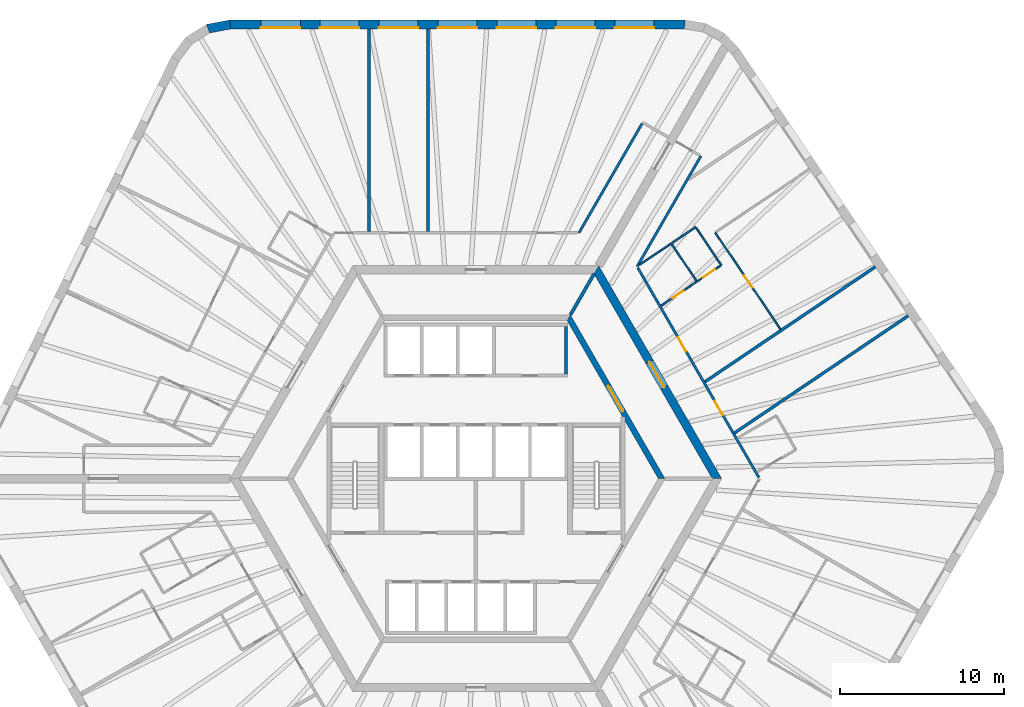
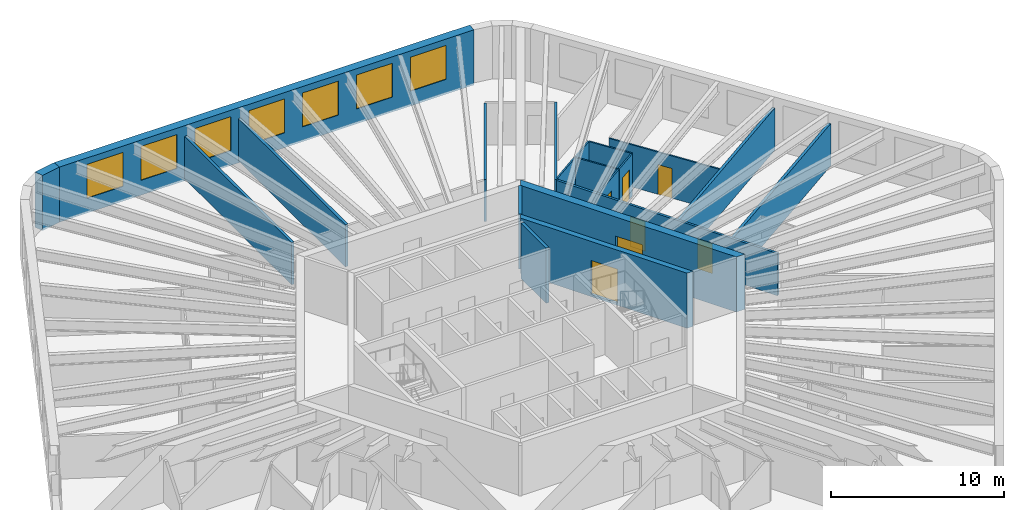
# One storey, part 8 of 10: 20 walls, 7 doors, 7 windows, 14 openings.
"""IFC4 building model written with IfcOpenShell, lengths in metres."""

from ifc_helpers import new_model, si_unit, direction, frame, frame_2d, origin, place, context, subcontext, project, spatial, polyline, rectangle, outline, extrude, material, layer, layer_set, type_object, element, fill, save


model = new_model("IFC4")

# Units and contexts
model_context = context("Model", 3, precision=1e-05, world=origin(), true_north=direction((0.0, 1.0)))
body_context = subcontext(model_context, "Body", "Model", "MODEL_VIEW")
ifc_project = project(units=[si_unit("LENGTHUNIT", "METRE"), si_unit("AREAUNIT", "SQUARE_METRE"), si_unit("VOLUMEUNIT", "CUBIC_METRE"), si_unit("PLANEANGLEUNIT", "RADIAN"), si_unit("MASSUNIT", "GRAM", prefix="KILO")], contexts=[model_context])

# Site, building, storey
site_placement = place(None, origin())
site = spatial("IfcSite", under=ifc_project, at=site_placement, CompositionType="ELEMENT")
building_placement = place(site_placement, origin())
building = spatial("IfcBuilding", under=site, at=building_placement, Name="Tarnside Tower", CompositionType="ELEMENT")
storey_placement = place(building_placement, frame((0.0, 0.0, 168.300048828125)))
storey = spatial("IfcBuildingStorey", under=building, at=storey_placement, Name="L39", CompositionType="ELEMENT", Elevation=168.300048828125)

# Wall
ifc_material_1 = material(Name="Gypsum board partition on steel studs", Category="steel")
ifc_layer_1 = layer(ifc_material_1, 0.10009765625)
ifc_layer_set_1 = layer_set([ifc_layer_1], Name="Bathroom wall 100")
wall_type_1 = type_object("IfcWallType", Name="Bathroom wall 100", PredefinedType="PARTITIONING", material=ifc_layer_set_1)
wall_1_placement = place(storey_placement, frame((9.985595703125, 13.045654296875, 0.0), z_axis=(0.0, 0.0, 1.0), x_axis=(0.829041811541, 0.559186618865, 0.0)))
element("IfcWall", 1, at=wall_1_placement, inside=storey, type_object=wall_type_1, Name="Bathroom wall 12105", PredefinedType="PARTITIONING", context=body_context, shape_type="SweptSolid", body=[
    extrude(rectangle(XDim=2.343994140625, YDim=0.10009765625, at=frame_2d((1.171875, 0.0))), origin(), (0.0, 0.0, 1.0), 2.98779296875),
])

# Wall, opening, door
wall_2_placement = place(storey_placement, frame((13.49462890625, 12.03515625, 0.0), z_axis=(0.0, 0.0, 1.0), x_axis=(-0.829031183816, -0.55920237505, 0.0)))
wall_2 = element("IfcWall", 2, at=wall_2_placement, inside=storey, type_object=wall_type_1, Name="Bathroom wall 12106", PredefinedType="PARTITIONING", context=body_context, shape_type="SweptSolid", body=[
    extrude(rectangle(XDim=2.6357421875, YDim=0.10009765625, at=frame_2d((1.31787109375, 0.0))), origin(), (0.0, 0.0, 1.0), 2.98779296875),
])
opening_1_placement = place(wall_2_placement, frame((1.0, 0.0, 0.0)))
opening_1 = element("IfcOpeningElement", 3, at=opening_1_placement, cuts=wall_2, Name="Opening D-B1", PredefinedType="OPENING", context=body_context, shape_type="SweptSolid", body=[
    extrude(rectangle(XDim=0.800048828125, YDim=2.10009765625, at=frame_2d((0.39990234375, 1.050048828125))), frame((0.0, 0.06005859375, 0.0), z_axis=(0.0, -1.0, 0.0), x_axis=(1.0, 0.0, 0.0)), (0.0, 0.0, 1.0), 0.1201171875),
])
ifc_material_2 = material(Name="Timber door leaf", Category="wood")
door_type_1 = type_object("IfcDoorType", Name="Bathroom door 800", OperationType="NOTDEFINED", PredefinedType="DOOR", material=ifc_material_2)
door_1_placement = place(opening_1_placement, origin())
door_1 = element("IfcDoor", 4, at=door_1_placement, inside=storey, type_object=door_type_1, Name="Bathroom door 12032", OperationType="SINGLE_SWING_LEFT", OverallHeight=2.10009765625, OverallWidth=0.800048828125, PredefinedType="DOOR", context=body_context, shape_type="SweptSolid", body=[
    extrude(rectangle(XDim=0.800048828125, YDim=2.10009765625, at=frame_2d((0.39990234375, 1.050048828125))), frame((0.0, 0.02490234375, 0.0), z_axis=(0.0, -1.0, 0.0), x_axis=(1.0, 0.0, 0.0)), (0.0, 0.0, 1.0), 0.050048828125),
])
fill(opening_1, door_1)

# Wall
wall_3_placement = place(storey_placement, frame((13.466796875, 12.07666015625, 0.0), z_axis=(0.0, 0.0, 1.0), x_axis=(-0.559261631576, 0.828991210718, 0.0)))
element("IfcWall", 5, at=wall_3_placement, inside=storey, type_object=wall_type_1, Name="Bathroom wall 12113", PredefinedType="PARTITIONING", context=body_context, shape_type="SweptSolid", body=[
    extrude(rectangle(XDim=2.699951171875, YDim=0.10009765625, at=frame_2d((1.35009765625, 0.0))), origin(), (0.0, 0.0, 1.0), 2.98779296875),
])

# Wall, opening, door
ifc_material_3 = material(Name="Concrete C50/60", Category="concrete")
ifc_layer_2 = layer(ifc_material_3, 0.35009765625)
ifc_layer_set_2 = layer_set([ifc_layer_2], Name="Core block wall 350 C50/60")
wall_type_2 = type_object("IfcWallType", Name="Core block wall 350 C50/60", PredefinedType="SHEAR", material=ifc_layer_set_2)
wall_4_placement = place(storey_placement, frame((11.344970703125, 0.0, -0.150146484375), z_axis=(0.0, 0.0, 1.0), x_axis=(-0.499995046907, 0.866028263435, 0.0)))
wall_4 = element("IfcWall", 6, at=wall_4_placement, inside=storey, type_object=wall_type_2, Name="L39 core block wall face 6", PredefinedType="SHEAR", context=body_context, shape_type="SweptSolid", body=[
    extrude(outline(polyline([(-0.10107421875, -0.175048828125), (11.44580078125, -0.175048828125), (11.24365234375, 0.175048828125), (0.10107421875, 0.175048828125), (-0.10107421875, -0.175048828125)])), origin(), (0.0, 0.0, 1.0), 3.900146484375),
])
opening_2_placement = place(wall_4_placement, frame((4.74365234375, 0.0, 0.14990234375)))
opening_2 = element("IfcOpeningElement", 7, at=opening_2_placement, cuts=wall_4, Name="Opening CD-LOB", PredefinedType="OPENING", context=body_context, shape_type="SweptSolid", body=[
    extrude(rectangle(XDim=1.800048828125, YDim=2.39990234375, at=frame_2d((0.89990234375, 1.199951171875))), frame((0.0, 0.18505859375, 0.0), z_axis=(0.0, -1.0, 0.0), x_axis=(1.0, 0.0, 0.0)), (0.0, 0.0, 1.0), 0.3701171875),
])
ifc_material_4 = material(Name="Steel fire door", Category="steel")
door_type_2 = type_object("IfcDoorType", Name="Lobby double door FD30S 1800x2400", OperationType="NOTDEFINED", PredefinedType="DOOR", material=ifc_material_4)
door_2_placement = place(opening_2_placement, origin())
door_2 = element("IfcDoor", 8, at=door_2_placement, inside=storey, type_object=door_type_2, Name="L39 lobby block door P2", OperationType="DOUBLE_DOOR_SINGLE_SWING", OverallHeight=2.39990234375, OverallWidth=1.800048828125, PredefinedType="DOOR", context=body_context, shape_type="SweptSolid", body=[
    extrude(rectangle(XDim=1.800048828125, YDim=2.39990234375, at=frame_2d((0.89990234375, 1.199951171875))), frame((0.0, 0.02490234375, 0.0), z_axis=(0.0, -1.0, 0.0), x_axis=(1.0, 0.0, 0.0)), (0.0, 0.0, 1.0), 0.050048828125),
])
fill(opening_2, door_2)

ifc_material_5 = material(Name="Concrete C70/85", Category="concrete")
ifc_layer_3 = layer(ifc_material_5, 0.5)
ifc_layer_set_3 = layer_set([ifc_layer_3], Name="Core wall Z2 500 C70/85")
wall_type_3 = type_object("IfcWallType", Name="Core wall Z2 500 C70/85", PredefinedType="SHEAR", material=ifc_layer_set_3)
wall_5_placement = place(storey_placement, frame((14.722412109375, 0.0, -0.150146484375), z_axis=(0.0, 0.0, 1.0), x_axis=(-0.50000571537, 0.866022103989, 0.0)))
wall_5 = element("IfcWall", 9, at=wall_5_placement, inside=storey, type_object=wall_type_3, Name="L39 core wall face 6", PredefinedType="SHEAR", context=body_context, shape_type="SweptSolid", body=[
    extrude(outline(polyline([(-0.144287109375, -0.25), (14.86669921875, -0.25), (14.578125, 0.25), (0.144287109375, 0.25), (-0.144287109375, -0.25)])), origin(), (0.0, 0.0, 1.0), 3.900146484375),
])
opening_3_placement = place(wall_5_placement, frame((6.432373046875, 0.0, 0.14990234375)))
opening_3 = element("IfcOpeningElement", 10, at=opening_3_placement, cuts=wall_5, Name="Opening CD-LOB", PredefinedType="OPENING", context=body_context, shape_type="SweptSolid", body=[
    extrude(rectangle(XDim=1.800048828125, YDim=2.39990234375, at=frame_2d((0.89990234375, 1.199951171875))), frame((0.0, 0.260009765625, 0.0), z_axis=(0.0, -1.0, 0.0), x_axis=(1.0, 0.0, 0.0)), (0.0, 0.0, 1.0), 0.52001953125),
])
door_3_placement = place(opening_3_placement, origin())
door_3 = element("IfcDoor", 11, at=door_3_placement, inside=storey, type_object=door_type_2, Name="L39 core door P2", OperationType="DOUBLE_DOOR_SINGLE_SWING", OverallHeight=2.39990234375, OverallWidth=1.800048828125, PredefinedType="DOOR", context=body_context, shape_type="SweptSolid", body=[
    extrude(rectangle(XDim=1.800048828125, YDim=2.39990234375, at=frame_2d((0.89990234375, 1.199951171875))), frame((0.0, 0.02490234375, 0.0), z_axis=(0.0, -1.0, 0.0), x_axis=(1.0, 0.0, 0.0)), (0.0, 0.0, 1.0), 0.050048828125),
])
fill(opening_3, door_3)

# Wall
ifc_layer_4 = layer(ifc_material_1, 0.14990234375)
ifc_layer_set_4 = layer_set([ifc_layer_4], Name="Corridor wall 150 EI 60")
wall_type_4 = type_object("IfcWallType", Name="Corridor wall 150 EI 60", PredefinedType="PARTITIONING", material=ifc_layer_set_4)
wall_6_placement = place(storey_placement, frame((10.148681640625, 21.677978515625, 0.0), z_axis=(0.0, 0.0, 1.0), x_axis=(-0.499993780622, -0.866028994514, 0.0)))
element("IfcWall", 12, at=wall_6_placement, inside=storey, type_object=wall_type_4, Name="Corridor wall 12002", PredefinedType="PARTITIONING", context=body_context, shape_type="SweptSolid", body=[
    extrude(rectangle(XDim=7.7109375, YDim=0.14990234375, at=frame_2d((3.85546875, 0.0))), origin(), (0.0, 0.0, 1.0), 2.98779296875),
])

# Wall, openings, doors
wall_7_placement = place(storey_placement, frame((17.277099609375, 0.074951171875, 0.0), z_axis=(0.0, 0.0, 1.0), x_axis=(-0.499988884089, 0.866031821464, 0.0)))
wall_7 = element("IfcWall", 13, at=wall_7_placement, inside=storey, type_object=wall_type_4, Name="Corridor wall 12035", PredefinedType="PARTITIONING", context=body_context, shape_type="SweptSolid", body=[
    extrude(rectangle(XDim=14.780029296875, YDim=0.14990234375, at=frame_2d((7.39013671875, 0.0))), origin(), (0.0, 0.0, 1.0), 2.98779296875),
])
opening_4_placement = place(wall_7_placement, frame((4.39306640625, 0.0, 0.0)))
opening_4 = element("IfcOpeningElement", 14, at=opening_4_placement, cuts=wall_7, Name="Opening D-E1", PredefinedType="OPENING", context=body_context, shape_type="SweptSolid", body=[
    extrude(rectangle(XDim=1.0, YDim=2.10009765625, at=frame_2d((0.5, 1.050048828125))), frame((0.0, 0.0849609375, 0.0), z_axis=(0.0, -1.0, 0.0), x_axis=(1.0, 0.0, 0.0)), (0.0, 0.0, 1.0), 0.169921875),
])
opening_5_placement = place(wall_7_placement, frame((8.885498046875, 0.0, 0.0)))
opening_5 = element("IfcOpeningElement", 15, at=opening_5_placement, cuts=wall_7, Name="Opening D-E1", PredefinedType="OPENING", context=body_context, shape_type="SweptSolid", body=[
    extrude(rectangle(XDim=1.0, YDim=2.10009765625, at=frame_2d((0.5, 1.050048828125))), frame((0.0, 0.0849609375, 0.0), z_axis=(0.0, -1.0, 0.0), x_axis=(1.0, 0.0, 0.0)), (0.0, 0.0, 1.0), 0.169921875),
])
door_type_3 = type_object("IfcDoorType", Name="Unit entrance door 1000 FD30S", OperationType="NOTDEFINED", PredefinedType="DOOR", material=ifc_material_2)
door_4_placement = place(opening_4_placement, origin())
door_4 = element("IfcDoor", 16, at=door_4_placement, inside=storey, type_object=door_type_3, Name="Unit door 12030", OperationType="SINGLE_SWING_LEFT", OverallHeight=2.10009765625, OverallWidth=1.0, PredefinedType="DOOR", context=body_context, shape_type="SweptSolid", body=[
    extrude(rectangle(XDim=1.0, YDim=2.10009765625, at=frame_2d((0.5, 1.050048828125))), frame((0.0, 0.02490234375, 0.0), z_axis=(0.0, -1.0, 0.0), x_axis=(1.0, 0.0, 0.0)), (0.0, 0.0, 1.0), 0.050048828125),
])
fill(opening_4, door_4)
door_5_placement = place(opening_5_placement, origin())
door_5 = element("IfcDoor", 17, at=door_5_placement, inside=storey, type_object=door_type_3, Name="Unit door 12031", OperationType="SINGLE_SWING_RIGHT", OverallHeight=2.10009765625, OverallWidth=1.0, PredefinedType="DOOR", context=body_context, shape_type="SweptSolid", body=[
    extrude(rectangle(XDim=1.0, YDim=2.10009765625, at=frame_2d((0.5, 1.050048828125))), frame((0.0, 0.02490234375, 0.0), z_axis=(0.0, -1.0, 0.0), x_axis=(1.0, 0.0, 0.0)), (0.0, 0.0, 1.0), 0.050048828125),
])
fill(opening_5, door_5)

# Walls
wall_8_placement = place(storey_placement, frame((9.84375, 12.949951171875, 0.0), z_axis=(0.0, 0.0, 1.0), x_axis=(0.500003831281, 0.866023191782, 0.0)))
element("IfcWall", 18, at=wall_8_placement, inside=storey, type_object=wall_type_4, Name="Corridor wall 12040", PredefinedType="PARTITIONING", context=body_context, shape_type="SweptSolid", body=[
    extrude(rectangle(XDim=7.7861328125, YDim=0.14990234375, at=frame_2d((3.89306640625, 0.0))), origin(), (0.0, 0.0, 1.0), 2.98779296875),
])
ifc_layer_5 = layer(ifc_material_1, 0.179931640625)
ifc_layer_set_5 = layer_set([ifc_layer_5], Name="Demising wall 180 EI 60")
wall_type_5 = type_object("IfcWallType", Name="Demising wall 180 EI 60", PredefinedType="PARTITIONING", material=ifc_layer_set_5)
for number, where, z_axis, x_axis, name in (
    (19, (-2.91796875, 27.449951171875, 0.0), (0.0, 0.0, 1.0), (0.0, -1.0, 0.0), "Demising wall 12045"),
    (20, (-6.517822265625, 27.449951171875, 0.0), (0.0, 0.0, 1.0), (0.0, -1.0, 0.0), "Demising wall 12046"),
):
    element("IfcWall", number, at=place(storey_placement, frame(where, z_axis=z_axis, x_axis=x_axis)), inside=storey, type_object=wall_type_5, Name=name, PredefinedType="PARTITIONING", context=body_context, shape_type="SweptSolid", body=[
        extrude(rectangle(XDim=12.375, YDim=0.179931640625, at=frame_2d((6.1875, 0.0))), origin(), (0.0, 0.0, 1.0), 2.98779296875),
    ])
wall_9_placement = place(storey_placement, frame((26.40185546875, 9.9462890625, 0.0), z_axis=(0.0, 0.0, 1.0), x_axis=(-0.829037771727, -0.559192608187, 0.0)))
element("IfcWall", 21, at=wall_9_placement, inside=storey, type_object=wall_type_5, Name="Demising wall 12102", PredefinedType="PARTITIONING", context=body_context, shape_type="SweptSolid", body=[
    extrude(rectangle(XDim=12.7939453125, YDim=0.179931640625, at=frame_2d((6.39697265625, 0.0))), origin(), (0.0, 0.0, 1.0), 2.98779296875),
])
wall_10_placement = place(storey_placement, frame((24.388671875, 12.9306640625, 0.0), z_axis=(0.0, 0.0, 1.0), x_axis=(-0.829040439793, -0.559188652593, 0.0)))
element("IfcWall", 22, at=wall_10_placement, inside=storey, type_object=wall_type_5, Name="Demising wall 12103", PredefinedType="PARTITIONING", context=body_context, shape_type="SweptSolid", body=[
    extrude(rectangle(XDim=12.542236328125, YDim=0.179931640625, at=frame_2d((6.27099609375, 0.0))), origin(), (0.0, 0.0, 1.0), 2.98779296875),
])
ifc_material_6 = material(Name="Concrete C40/50", Category="concrete")
ifc_layer_6 = layer(ifc_material_6, 0.199951171875)
ifc_layer_set_6 = layer_set([ifc_layer_6], Name="Lift shaft wall 200 C40/50")
wall_type_6 = type_object("IfcWallType", Name="Lift shaft wall 200 C40/50", PredefinedType="SHEAR", material=ifc_layer_set_6)
wall_11_placement = place(storey_placement, frame((5.5, 6.39990234375, -0.25), z_axis=(0.0, 0.0, 1.0), x_axis=(0.0, 1.0, 0.0)))
element("IfcWall", 23, at=wall_11_placement, inside=storey, type_object=wall_type_6, Name="L39 lift shaft partition R16", PredefinedType="SHEAR", context=body_context, shape_type="SweptSolid", body=[
    extrude(rectangle(XDim=2.900146484375, YDim=0.199951171875, at=frame_2d((1.4501953125, 0.0))), origin(), (0.0, 0.0, 1.0), 3.89990234375),
])
wall_12_placement = place(storey_placement, frame((5.7734375, 10.0, -0.150146484375), z_axis=(0.0, 0.0, 1.0), x_axis=(0.499995765644, 0.866027848477, 0.0)))
element("IfcWall", 24, at=wall_12_placement, inside=storey, type_object=wall_type_6, Name="L39 core partition AR60", PredefinedType="SHEAR", context=body_context, shape_type="SweptSolid", body=[
    extrude(rectangle(XDim=2.88671875, YDim=0.199951171875, at=frame_2d((1.443359375, 0.0))), origin(), (0.0, 0.0, 1.0), 3.900146484375),
])
ifc_layer_7 = layer(ifc_material_1, 0.10009765625)
ifc_layer_set_7 = layer_set([ifc_layer_7], Name="Partition 100")
wall_type_7 = type_object("IfcWallType", Name="Partition 100", PredefinedType="PARTITIONING", material=ifc_layer_set_7)
wall_13_placement = place(storey_placement, frame((11.970458984375, 14.38427734375, 0.0), z_axis=(0.0, 0.0, 1.0), x_axis=(0.828968337787, 0.559295534532, 0.0)))
element("IfcWall", 25, at=wall_13_placement, inside=storey, type_object=wall_type_7, Name="Partition wall 12107", PredefinedType="PARTITIONING", context=body_context, shape_type="SweptSolid", body=[
    extrude(rectangle(XDim=1.75, YDim=0.10009765625, at=frame_2d((0.875, 0.0))), origin(), (0.0, 0.0, 1.0), 2.98779296875),
])
wall_14_placement = place(storey_placement, frame((13.44921875, 15.321533203125, 0.0), z_axis=(0.0, 0.0, 1.0), x_axis=(0.559158698756, -0.8290606429, 0.0)))
element("IfcWall", 26, at=wall_14_placement, inside=storey, type_object=wall_type_7, Name="Partition wall 12108", PredefinedType="PARTITIONING", context=body_context, shape_type="SweptSolid", body=[
    extrude(rectangle(XDim=2.749755859375, YDim=0.10009765625, at=frame_2d((1.375, 0.0))), origin(), (0.0, 0.0, 1.0), 2.98779296875),
])

# Wall, opening, door
wall_15_placement = place(storey_placement, frame((14.945556640625, 13.013671875, 0.0), z_axis=(0.0, 0.0, 1.0), x_axis=(-0.829033422808, -0.559199055675, 0.0)))
wall_15 = element("IfcWall", 27, at=wall_15_placement, inside=storey, type_object=wall_type_7, Name="Partition wall 12109", PredefinedType="PARTITIONING", context=body_context, shape_type="SweptSolid", body=[
    extrude(rectangle(XDim=1.7001953125, YDim=0.10009765625, at=frame_2d((0.85009765625, 0.0))), origin(), (0.0, 0.0, 1.0), 2.98779296875),
])
opening_6_placement = place(wall_15_placement, frame((0.39990234375, 0.0, 0.0)))
opening_6 = element("IfcOpeningElement", 28, at=opening_6_placement, cuts=wall_15, Name="Opening D-I1", PredefinedType="OPENING", context=body_context, shape_type="SweptSolid", body=[
    extrude(rectangle(XDim=0.89990234375, YDim=2.10009765625, at=frame_2d((0.449951171875, 1.050048828125))), frame((0.0, 0.06005859375, 0.0), z_axis=(0.0, -1.0, 0.0), x_axis=(1.0, 0.0, 0.0)), (0.0, 0.0, 1.0), 0.1201171875),
])
door_type_4 = type_object("IfcDoorType", Name="Internal door 900", OperationType="NOTDEFINED", PredefinedType="DOOR", material=ifc_material_2)
door_6_placement = place(opening_6_placement, origin())
door_6 = element("IfcDoor", 29, at=door_6_placement, inside=storey, type_object=door_type_4, Name="Internal door 12033", OperationType="SINGLE_SWING_RIGHT", OverallHeight=2.10009765625, OverallWidth=0.89990234375, PredefinedType="DOOR", context=body_context, shape_type="SweptSolid", body=[
    extrude(rectangle(XDim=0.89990234375, YDim=2.10009765625, at=frame_2d((0.449951171875, 1.050048828125))), frame((0.0, 0.02490234375, 0.0), z_axis=(0.0, -1.0, 0.0), x_axis=(1.0, 0.0, 0.0)), (0.0, 0.0, 1.0), 0.050048828125),
])
fill(opening_6, door_6)

wall_16_placement = place(storey_placement, frame((18.591064453125, 9.128662109375, 0.0), z_axis=(0.0, 0.0, 1.0), x_axis=(-0.559185029686, 0.829042883435, 0.0)))
wall_16 = element("IfcWall", 30, at=wall_16_placement, inside=storey, type_object=wall_type_7, Name="Partition wall 12110", PredefinedType="PARTITIONING", context=body_context, shape_type="SweptSolid", body=[
    extrude(rectangle(XDim=7.110107421875, YDim=0.10009765625, at=frame_2d((3.55517578125, 0.0))), origin(), (0.0, 0.0, 1.0), 2.98779296875),
])
opening_7_placement = place(wall_16_placement, frame((3.06005859375, 0.0, 0.0)))
opening_7 = element("IfcOpeningElement", 31, at=opening_7_placement, cuts=wall_16, Name="Opening D-I1", PredefinedType="OPENING", context=body_context, shape_type="SweptSolid", body=[
    extrude(rectangle(XDim=0.89990234375, YDim=2.10009765625, at=frame_2d((0.449951171875, 1.050048828125))), frame((0.0, 0.06005859375, 0.0), z_axis=(0.0, -1.0, 0.0), x_axis=(1.0, 0.0, 0.0)), (0.0, 0.0, 1.0), 0.1201171875),
])
door_7_placement = place(opening_7_placement, origin())
door_7 = element("IfcDoor", 32, at=door_7_placement, inside=storey, type_object=door_type_4, Name="Internal door 12034", OperationType="SINGLE_SWING_RIGHT", OverallHeight=2.10009765625, OverallWidth=0.89990234375, PredefinedType="DOOR", context=body_context, shape_type="SweptSolid", body=[
    extrude(rectangle(XDim=0.89990234375, YDim=2.10009765625, at=frame_2d((0.449951171875, 1.050048828125))), frame((0.0, 0.02490234375, 0.0), z_axis=(0.0, -1.0, 0.0), x_axis=(1.0, 0.0, 0.0)), (0.0, 0.0, 1.0), 0.050048828125),
])
fill(opening_7, door_7)

# Wall, openings, windows
ifc_material_7 = material(Name="Facing brick", Category="masonry")
ifc_layer_8 = layer(ifc_material_7, 0.10205078125)
ifc_material_8 = material(Name="Concrete C60/75 precast", Category="concrete")
ifc_layer_9 = layer(ifc_material_8, 0.347900390625)
ifc_material_9 = material(Name="Mineral wool insulation")
ifc_layer_10 = layer(ifc_material_9, 0.10009765625)
ifc_layer_set_8 = layer_set([ifc_layer_8, ifc_layer_9, ifc_layer_10], Name="Tube wall 550 brick faced")
wall_type_8 = type_object("IfcWallType", Name="Tube wall 550 brick faced", PredefinedType="SOLIDWALL", material=ifc_layer_set_8)
wall_17_placement = place(storey_placement, frame((12.760986328125, 27.72509765625, -0.150146484375), z_axis=(0.0, 0.0, 1.0), x_axis=(-1.0, 0.0, 0.0)))
wall_17 = element("IfcWall", 33, at=wall_17_placement, inside=storey, type_object=wall_type_8, Name="Tube wall L39 F1 flush 00", PredefinedType="SOLIDWALL", context=body_context, shape_type="SweptSolid", body=[
    extrude(outline(polyline([(-0.0224609375, -0.27490234375), (27.783447265625, -0.27490234375), (27.732177734375, 0.27490234375), (0.0224609375, 0.27490234375), (-0.0224609375, -0.27490234375)])), origin(), (0.0, 0.0, 1.0), 3.900146484375),
])
opening_8_placement = place(wall_17_placement, frame((1.87890625, 0.0, 1.050048828125)))
opening_8 = element("IfcOpeningElement", 34, at=opening_8_placement, cuts=wall_17, Name="Opening WH", PredefinedType="OPENING", context=body_context, shape_type="SweptSolid", body=[
    extrude(rectangle(XDim=2.39990234375, YDim=2.39990234375, at=frame_2d((1.199951171875, 1.199951171875))), frame((0.0, 0.28515625, 0.0), z_axis=(0.0, -1.0, 0.0), x_axis=(1.0, 0.0, 0.0)), (0.0, 0.0, 1.0), 0.570068359375),
])
opening_9_placement = place(wall_17_placement, frame((5.47900390625, 0.0, 1.050048828125)))
opening_9 = element("IfcOpeningElement", 35, at=opening_9_placement, cuts=wall_17, Name="Opening WH", PredefinedType="OPENING", context=body_context, shape_type="SweptSolid", body=[
    extrude(rectangle(XDim=2.39990234375, YDim=2.39990234375, at=frame_2d((1.199951171875, 1.199951171875))), frame((0.0, 0.28515625, 0.0), z_axis=(0.0, -1.0, 0.0), x_axis=(1.0, 0.0, 0.0)), (0.0, 0.0, 1.0), 0.570068359375),
])
opening_10_placement = place(wall_17_placement, frame((9.078857421875, 0.0, 1.050048828125)))
opening_10 = element("IfcOpeningElement", 36, at=opening_10_placement, cuts=wall_17, Name="Opening WH", PredefinedType="OPENING", context=body_context, shape_type="SweptSolid", body=[
    extrude(rectangle(XDim=2.39990234375, YDim=2.39990234375, at=frame_2d((1.199951171875, 1.199951171875))), frame((0.0, 0.28515625, 0.0), z_axis=(0.0, -1.0, 0.0), x_axis=(1.0, 0.0, 0.0)), (0.0, 0.0, 1.0), 0.570068359375),
])
opening_11_placement = place(wall_17_placement, frame((12.678955078125, 0.0, 1.050048828125)))
opening_11 = element("IfcOpeningElement", 37, at=opening_11_placement, cuts=wall_17, Name="Opening WH", PredefinedType="OPENING", context=body_context, shape_type="SweptSolid", body=[
    extrude(rectangle(XDim=2.39990234375, YDim=2.39990234375, at=frame_2d((1.199951171875, 1.199951171875))), frame((0.0, 0.28515625, 0.0), z_axis=(0.0, -1.0, 0.0), x_axis=(1.0, 0.0, 0.0)), (0.0, 0.0, 1.0), 0.570068359375),
])
opening_12_placement = place(wall_17_placement, frame((16.27880859375, 0.0, 1.050048828125)))
opening_12 = element("IfcOpeningElement", 38, at=opening_12_placement, cuts=wall_17, Name="Opening WH", PredefinedType="OPENING", context=body_context, shape_type="SweptSolid", body=[
    extrude(rectangle(XDim=2.39990234375, YDim=2.39990234375, at=frame_2d((1.199951171875, 1.199951171875))), frame((0.0, 0.28515625, 0.0), z_axis=(0.0, -1.0, 0.0), x_axis=(1.0, 0.0, 0.0)), (0.0, 0.0, 1.0), 0.570068359375),
])
opening_13_placement = place(wall_17_placement, frame((19.87890625, 0.0, 1.050048828125)))
opening_13 = element("IfcOpeningElement", 39, at=opening_13_placement, cuts=wall_17, Name="Opening WH", PredefinedType="OPENING", context=body_context, shape_type="SweptSolid", body=[
    extrude(rectangle(XDim=2.39990234375, YDim=2.39990234375, at=frame_2d((1.199951171875, 1.199951171875))), frame((0.0, 0.28515625, 0.0), z_axis=(0.0, -1.0, 0.0), x_axis=(1.0, 0.0, 0.0)), (0.0, 0.0, 1.0), 0.570068359375),
])
opening_14_placement = place(wall_17_placement, frame((23.47900390625, 0.0, 1.050048828125)))
opening_14 = element("IfcOpeningElement", 40, at=opening_14_placement, cuts=wall_17, Name="Opening WH", PredefinedType="OPENING", context=body_context, shape_type="SweptSolid", body=[
    extrude(rectangle(XDim=2.39990234375, YDim=2.39990234375, at=frame_2d((1.199951171875, 1.199951171875))), frame((0.0, 0.28515625, 0.0), z_axis=(0.0, -1.0, 0.0), x_axis=(1.0, 0.0, 0.0)), (0.0, 0.0, 1.0), 0.570068359375),
])
ifc_material_10 = material(Name="Aluminium-framed double glazing", Category="aluminium")
window_type = type_object("IfcWindowType", Name="Hotel window 2400 x 2400", PartitioningType="DOUBLE_PANEL_VERTICAL", PredefinedType="WINDOW", material=ifc_material_10)
window_1_placement = place(opening_8_placement, frame((0.0, 0.205078125, 0.0)))
window_1 = element("IfcWindow", 41, at=window_1_placement, inside=storey, type_object=window_type, Name="E.WN.L39.F1.00", OverallHeight=2.39990234375, OverallWidth=2.39990234375, PartitioningType="DOUBLE_PANEL_VERTICAL", PredefinedType="WINDOW", context=body_context, shape_type="SweptSolid", body=[
    extrude(rectangle(XDim=2.39990234375, YDim=2.39990234375, at=frame_2d((1.199951171875, 1.199951171875))), frame((0.0, 0.030029296875, 0.0), z_axis=(0.0, -1.0, 0.0), x_axis=(1.0, 0.0, 0.0)), (0.0, 0.0, 1.0), 0.06005859375),
])
fill(opening_8, window_1)
window_2_placement = place(opening_9_placement, frame((0.0, 0.205078125, 0.0)))
window_2 = element("IfcWindow", 42, at=window_2_placement, inside=storey, type_object=window_type, Name="E.WN.L39.F1.01", OverallHeight=2.39990234375, OverallWidth=2.39990234375, PartitioningType="DOUBLE_PANEL_VERTICAL", PredefinedType="WINDOW", context=body_context, shape_type="SweptSolid", body=[
    extrude(rectangle(XDim=2.39990234375, YDim=2.39990234375, at=frame_2d((1.199951171875, 1.199951171875))), frame((0.0, 0.030029296875, 0.0), z_axis=(0.0, -1.0, 0.0), x_axis=(1.0, 0.0, 0.0)), (0.0, 0.0, 1.0), 0.06005859375),
])
fill(opening_9, window_2)
window_3_placement = place(opening_10_placement, frame((0.0, 0.205078125, 0.0)))
window_3 = element("IfcWindow", 43, at=window_3_placement, inside=storey, type_object=window_type, Name="E.WN.L39.F1.02", OverallHeight=2.39990234375, OverallWidth=2.39990234375, PartitioningType="DOUBLE_PANEL_VERTICAL", PredefinedType="WINDOW", context=body_context, shape_type="SweptSolid", body=[
    extrude(rectangle(XDim=2.39990234375, YDim=2.39990234375, at=frame_2d((1.199951171875, 1.199951171875))), frame((0.0, 0.030029296875, 0.0), z_axis=(0.0, -1.0, 0.0), x_axis=(1.0, 0.0, 0.0)), (0.0, 0.0, 1.0), 0.06005859375),
])
fill(opening_10, window_3)
window_4_placement = place(opening_11_placement, frame((0.0, 0.205078125, 0.0)))
window_4 = element("IfcWindow", 44, at=window_4_placement, inside=storey, type_object=window_type, Name="E.WN.L39.F1.03", OverallHeight=2.39990234375, OverallWidth=2.39990234375, PartitioningType="DOUBLE_PANEL_VERTICAL", PredefinedType="WINDOW", context=body_context, shape_type="SweptSolid", body=[
    extrude(rectangle(XDim=2.39990234375, YDim=2.39990234375, at=frame_2d((1.199951171875, 1.199951171875))), frame((0.0, 0.030029296875, 0.0), z_axis=(0.0, -1.0, 0.0), x_axis=(1.0, 0.0, 0.0)), (0.0, 0.0, 1.0), 0.06005859375),
])
fill(opening_11, window_4)
window_5_placement = place(opening_12_placement, frame((0.0, 0.205078125, 0.0)))
window_5 = element("IfcWindow", 45, at=window_5_placement, inside=storey, type_object=window_type, Name="E.WN.L39.F1.04", OverallHeight=2.39990234375, OverallWidth=2.39990234375, PartitioningType="DOUBLE_PANEL_VERTICAL", PredefinedType="WINDOW", context=body_context, shape_type="SweptSolid", body=[
    extrude(rectangle(XDim=2.39990234375, YDim=2.39990234375, at=frame_2d((1.199951171875, 1.199951171875))), frame((0.0, 0.030029296875, 0.0), z_axis=(0.0, -1.0, 0.0), x_axis=(1.0, 0.0, 0.0)), (0.0, 0.0, 1.0), 0.06005859375),
])
fill(opening_12, window_5)
window_6_placement = place(opening_13_placement, frame((0.0, 0.205078125, 0.0)))
window_6 = element("IfcWindow", 46, at=window_6_placement, inside=storey, type_object=window_type, Name="E.WN.L39.F1.05", OverallHeight=2.39990234375, OverallWidth=2.39990234375, PartitioningType="DOUBLE_PANEL_VERTICAL", PredefinedType="WINDOW", context=body_context, shape_type="SweptSolid", body=[
    extrude(rectangle(XDim=2.39990234375, YDim=2.39990234375, at=frame_2d((1.199951171875, 1.199951171875))), frame((0.0, 0.030029296875, 0.0), z_axis=(0.0, -1.0, 0.0), x_axis=(1.0, 0.0, 0.0)), (0.0, 0.0, 1.0), 0.06005859375),
])
fill(opening_13, window_6)
window_7_placement = place(opening_14_placement, frame((0.0, 0.205078125, 0.0)))
window_7 = element("IfcWindow", 47, at=window_7_placement, inside=storey, type_object=window_type, Name="E.WN.L39.F1.06", OverallHeight=2.39990234375, OverallWidth=2.39990234375, PartitioningType="DOUBLE_PANEL_VERTICAL", PredefinedType="WINDOW", context=body_context, shape_type="SweptSolid", body=[
    extrude(rectangle(XDim=2.39990234375, YDim=2.39990234375, at=frame_2d((1.199951171875, 1.199951171875))), frame((0.0, 0.030029296875, 0.0), z_axis=(0.0, -1.0, 0.0), x_axis=(1.0, 0.0, 0.0)), (0.0, 0.0, 1.0), 0.06005859375),
])
fill(opening_14, window_7)

# Wall
wall_18_placement = place(storey_placement, frame((-14.996826171875, 27.72509765625, -0.150146484375), z_axis=(0.0, 0.0, 1.0), x_axis=(-0.982705443133, -0.185175624845, 0.0)))
element("IfcWall", 48, at=wall_18_placement, inside=storey, type_object=wall_type_8, Name="Tube wall L39 F1 chord 01", PredefinedType="SOLIDWALL", context=body_context, shape_type="SweptSolid", body=[
    extrude(outline(polyline([(-0.025634765625, -0.27490234375), (1.430908203125, -0.27490234375), (1.327392578125, 0.27490234375), (0.025634765625, 0.27490234375), (-0.025634765625, -0.27490234375)])), origin(), (0.0, 0.0, 1.0), 3.900146484375),
])

save(model, "model.ifc")
